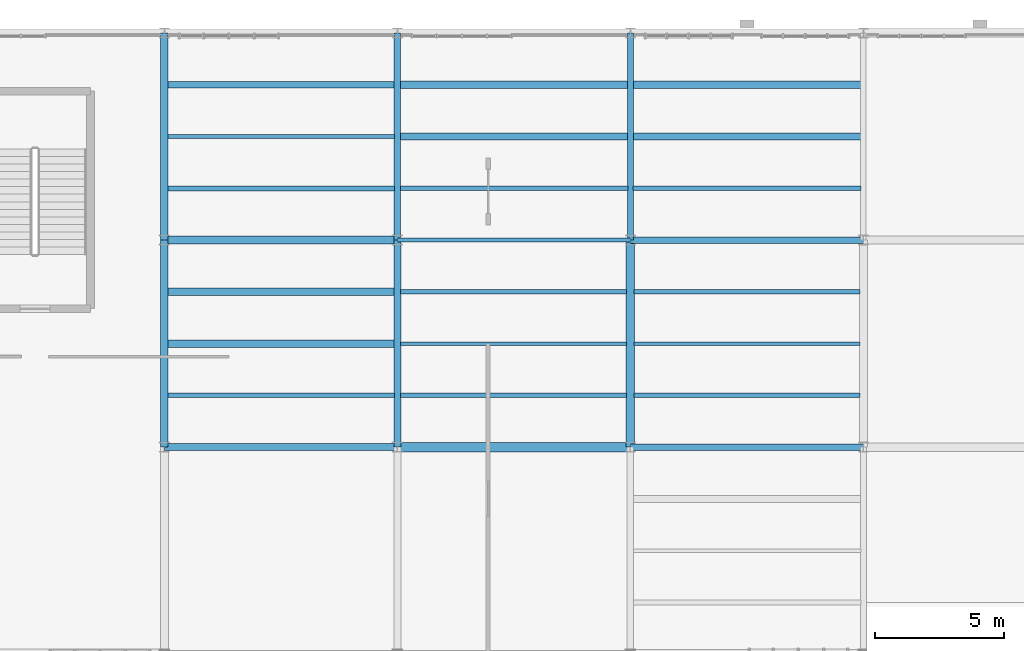
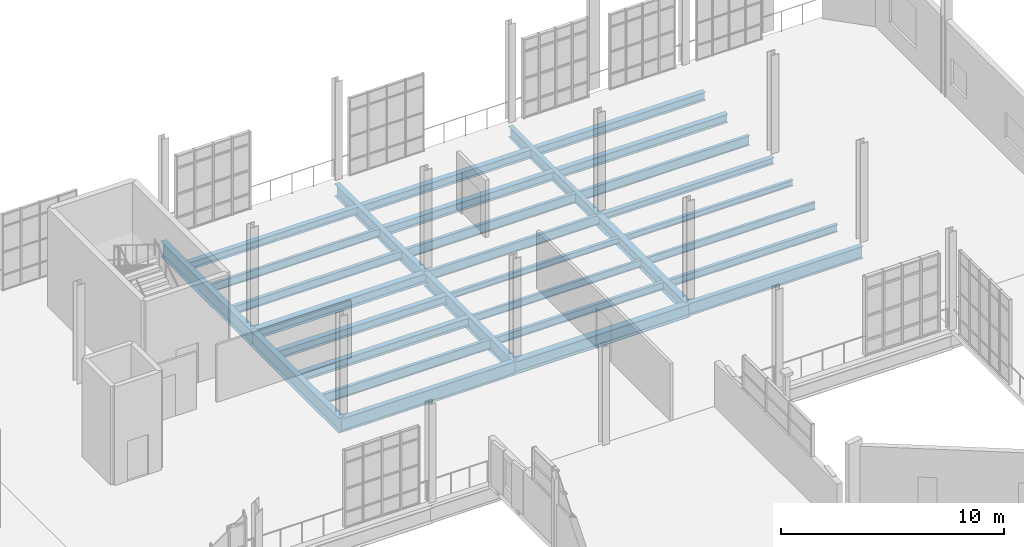
# One storey, part 64 of 142: 30 beams.
"""IFC4 building model written with IfcOpenShell, lengths in metres."""

from ifc_helpers import new_model, si_unit, direction, frame, origin, origin_2d, place, context, subcontext, project, spatial, i_section, extrude, material, material_profile, profile_set, type_object, element, save


model = new_model("IFC4")

# Units and contexts
model_context = context("Model", 3, precision=1e-05, world=origin(), true_north=direction((0.0, 1.0)))
body_context = subcontext(model_context, "Body", "Model", "MODEL_VIEW")
ifc_project = project(units=[si_unit("LENGTHUNIT", "METRE"), si_unit("AREAUNIT", "SQUARE_METRE"), si_unit("VOLUMEUNIT", "CUBIC_METRE"), si_unit("PLANEANGLEUNIT", "RADIAN"), si_unit("MASSUNIT", "GRAM", prefix="KILO"), si_unit("THERMODYNAMICTEMPERATUREUNIT", "KELVIN"), si_unit("POWERUNIT", "WATT")], contexts=[model_context])

# Site, building, storey
site_placement = place(None, origin())
site = spatial("IfcSite", under=ifc_project, at=site_placement, CompositionType="ELEMENT")
building_placement = place(site_placement, origin())
building = spatial("IfcBuilding", under=site, at=building_placement, Name="Zelmaris Science Centre", CompositionType="ELEMENT")
storey_placement = place(building_placement, frame((0.0, 0.0, 5.39990234375)))
storey = spatial("IfcBuildingStorey", under=building, at=storey_placement, Name="L01", CompositionType="ELEMENT", Elevation=5.39990234375)

# Beams
ifc_material = material(Name="Steel ASTM A992 Grade 50", Category="steel")
ifc_material_profile_1 = material_profile(ifc_material, i_section(OverallWidth=0.294921875, OverallDepth=0.85107421875, WebThickness=0.01611328125, FlangeThickness=0.02685546875, FilletRadius=0.02001953125, at=origin_2d()), Name="W33X152")
ifc_profile_set_1 = profile_set([ifc_material_profile_1], Name="Steel ASTM A992 Grade 50")
beam_type_1 = type_object("IfcBeamType", Name="Beam G-06 W33X152", PredefinedType="BEAM", material=ifc_profile_set_1)
beam_1_placement = place(storey_placement, frame((72.0, 72.0, -0.705322265625), z_axis=(0.0, 1.0, 0.0), x_axis=(-1.0, 0.0, 0.0)))
element("IfcBeam", 1, at=beam_1_placement, inside=storey, type_object=beam_type_1, Name="L01 North-south girder 281", PredefinedType="BEAM", context=body_context, shape_type="SweptSolid", body=[
    extrude(i_section(OverallWidth=0.294921875, OverallDepth=0.85107421875, WebThickness=0.01611328125, FlangeThickness=0.02685546875, FilletRadius=0.02001953125, at=origin_2d()), origin(), (0.0, 0.0, 1.0), 8.0),
])
ifc_material_profile_2 = material_profile(ifc_material, i_section(OverallWidth=0.2919921875, OverallDepth=0.841064453125, WebThickness=0.0146484375, FlangeThickness=0.021728515625, FilletRadius=0.02001953125, at=origin_2d()), Name="W33X130")
ifc_profile_set_2 = profile_set([ifc_material_profile_2], Name="Steel ASTM A992 Grade 50")
beam_type_2 = type_object("IfcBeamType", Name="Beam G-07 W33X130", PredefinedType="BEAM", material=ifc_profile_set_2)
beam_2_placement = place(storey_placement, frame((72.0, 80.0, -0.700439453125), z_axis=(0.0, 1.0, 0.0), x_axis=(-1.0, 0.0, 0.0)))
element("IfcBeam", 2, at=beam_2_placement, inside=storey, type_object=beam_type_2, Name="L01 North-south girder 282", PredefinedType="BEAM", context=body_context, shape_type="SweptSolid", body=[
    extrude(i_section(OverallWidth=0.2919921875, OverallDepth=0.841064453125, WebThickness=0.0146484375, FlangeThickness=0.021728515625, FilletRadius=0.02001953125, at=origin_2d()), origin(), (0.0, 0.0, 1.0), 8.0),
])
ifc_material_profile_3 = material_profile(ifc_material, i_section(OverallWidth=0.26708984375, OverallDepth=0.757080078125, WebThickness=0.013916015625, FlangeThickness=0.019287109375, FilletRadius=0.01904296875, at=origin_2d()), Name="W30X108")
ifc_profile_set_3 = profile_set([ifc_material_profile_3], Name="Steel ASTM A992 Grade 50")
beam_type_3 = type_object("IfcBeamType", Name="Beam G-10 W30X108", PredefinedType="BEAM", material=ifc_profile_set_3)
beam_3_placement = place(storey_placement, frame((81.0, 72.0, -0.658447265625), z_axis=(0.0, 1.0, 0.0), x_axis=(-1.0, 0.0, 0.0)))
element("IfcBeam", 3, at=beam_3_placement, inside=storey, type_object=beam_type_3, Name="L01 North-south girder 284", PredefinedType="BEAM", context=body_context, shape_type="SweptSolid", body=[
    extrude(i_section(OverallWidth=0.26708984375, OverallDepth=0.757080078125, WebThickness=0.013916015625, FlangeThickness=0.019287109375, FilletRadius=0.01904296875, at=origin_2d()), origin(), (0.0, 0.0, 1.0), 8.0),
])
ifc_material_profile_4 = material_profile(ifc_material, i_section(OverallWidth=0.257080078125, OverallDepth=0.693115234375, WebThickness=0.014404296875, FlangeThickness=0.023681640625, FilletRadius=0.01806640625, at=origin_2d()), Name="W27X114")
ifc_profile_set_4 = profile_set([ifc_material_profile_4], Name="Steel ASTM A992 Grade 50")
beam_type_4 = type_object("IfcBeamType", Name="Beam G-12 W27X114", PredefinedType="BEAM", material=ifc_profile_set_4)
beam_4_placement = place(storey_placement, frame((81.0, 80.0, -0.62646484375), z_axis=(0.0, 1.0, 0.0), x_axis=(-1.0, 0.0, 0.0)))
element("IfcBeam", 4, at=beam_4_placement, inside=storey, type_object=beam_type_4, Name="L01 North-south girder 285", PredefinedType="BEAM", context=body_context, shape_type="SweptSolid", body=[
    extrude(i_section(OverallWidth=0.257080078125, OverallDepth=0.693115234375, WebThickness=0.014404296875, FlangeThickness=0.023681640625, FilletRadius=0.01806640625, at=origin_2d()), origin(), (0.0, 0.0, 1.0), 8.0),
])
ifc_material_profile_5 = material_profile(ifc_material, i_section(OverallWidth=0.324951171875, OverallDepth=0.612060546875, WebThickness=0.0126953125, FlangeThickness=0.01904296875, FilletRadius=0.014892578125, at=origin_2d()), Name="W24X104")
ifc_profile_set_5 = profile_set([ifc_material_profile_5], Name="Steel ASTM A992 Grade 50")
beam_type_5 = type_object("IfcBeamType", Name="Beam G-15 W24X104", PredefinedType="BEAM", material=ifc_profile_set_5)
beam_5_placement = place(storey_placement, frame((90.0, 72.0, -0.5859375), z_axis=(0.0, 1.0, 0.0), x_axis=(-1.0, 0.0, 0.0)))
element("IfcBeam", 5, at=beam_5_placement, inside=storey, type_object=beam_type_5, Name="L01 North-south girder 287", PredefinedType="BEAM", context=body_context, shape_type="SweptSolid", body=[
    extrude(i_section(OverallWidth=0.324951171875, OverallDepth=0.612060546875, WebThickness=0.0126953125, FlangeThickness=0.01904296875, FilletRadius=0.014892578125, at=origin_2d()), origin(), (0.0, 0.0, 1.0), 8.0),
])
ifc_material_profile_6 = material_profile(ifc_material, i_section(OverallWidth=0.22900390625, OverallDepth=0.612060546875, WebThickness=0.011962890625, FlangeThickness=0.01953125, FilletRadius=0.014892578125, at=origin_2d()), Name="W24X84")
ifc_profile_set_6 = profile_set([ifc_material_profile_6], Name="Steel ASTM A992 Grade 50")
beam_type_6 = type_object("IfcBeamType", Name="Beam G-16 W24X84", PredefinedType="BEAM", material=ifc_profile_set_6)
beam_6_placement = place(storey_placement, frame((90.0, 80.0, -0.5859375), z_axis=(0.0, 1.0, 0.0), x_axis=(-1.0, 0.0, 0.0)))
element("IfcBeam", 6, at=beam_6_placement, inside=storey, type_object=beam_type_6, Name="L01 North-south girder 288", PredefinedType="BEAM", context=body_context, shape_type="SweptSolid", body=[
    extrude(i_section(OverallWidth=0.22900390625, OverallDepth=0.612060546875, WebThickness=0.011962890625, FlangeThickness=0.01953125, FilletRadius=0.014892578125, at=origin_2d()), origin(), (0.0, 0.0, 1.0), 8.0),
])
ifc_material_profile_7 = material_profile(ifc_material, i_section(OverallWidth=0.26708984375, OverallDepth=0.75390625, WebThickness=0.01318359375, FlangeThickness=0.01708984375, FilletRadius=0.01904296875, at=origin_2d()), Name="W30X99")
ifc_profile_set_7 = profile_set([ifc_material_profile_7], Name="Steel ASTM A992 Grade 50")
beam_type_7 = type_object("IfcBeamType", Name="Beam G-34 W30X99", PredefinedType="BEAM", material=ifc_profile_set_7)
beam_7_placement = place(storey_placement, frame((72.0, 72.0, -0.656982421875), z_axis=(1.0, 0.0, 0.0), x_axis=(0.0, 1.0, 0.0)))
element("IfcBeam", 7, at=beam_7_placement, inside=storey, type_object=beam_type_7, Name="L01 East-west girder 395", PredefinedType="BEAM", context=body_context, shape_type="SweptSolid", body=[
    extrude(i_section(OverallWidth=0.26708984375, OverallDepth=0.75390625, WebThickness=0.01318359375, FlangeThickness=0.01708984375, FilletRadius=0.01904296875, at=origin_2d()), origin(), (0.0, 0.0, 1.0), 9.0),
])
ifc_material_profile_8 = material_profile(ifc_material, i_section(OverallWidth=0.35595703125, OverallDepth=0.700927734375, WebThickness=0.016845703125, FlangeThickness=0.02734375, FilletRadius=0.01806640625, at=origin_2d()), Name="W27X161")
ifc_profile_set_8 = profile_set([ifc_material_profile_8], Name="Steel ASTM A992 Grade 50")
beam_type_8 = type_object("IfcBeamType", Name="Beam G-35 W27X161", PredefinedType="BEAM", material=ifc_profile_set_8)
beam_8_placement = place(storey_placement, frame((81.0, 72.0, -0.63037109375), z_axis=(1.0, 0.0, 0.0), x_axis=(0.0, 1.0, 0.0)))
element("IfcBeam", 8, at=beam_8_placement, inside=storey, type_object=beam_type_8, Name="L01 East-west girder 396", PredefinedType="BEAM", context=body_context, shape_type="SweptSolid", body=[
    extrude(i_section(OverallWidth=0.35595703125, OverallDepth=0.700927734375, WebThickness=0.016845703125, FlangeThickness=0.02734375, FilletRadius=0.01806640625, at=origin_2d()), origin(), (0.0, 0.0, 1.0), 9.0),
])
ifc_material_profile_9 = material_profile(ifc_material, i_section(OverallWidth=0.25390625, OverallDepth=0.677978515625, WebThickness=0.01171875, FlangeThickness=0.016357421875, FilletRadius=0.01806640625, at=origin_2d()), Name="W27X84")
ifc_profile_set_9 = profile_set([ifc_material_profile_9], Name="Steel ASTM A992 Grade 50")
beam_type_9 = type_object("IfcBeamType", Name="Beam G-36 W27X84", PredefinedType="BEAM", material=ifc_profile_set_9)
beam_9_placement = place(storey_placement, frame((90.0, 72.0, -0.618896484375), z_axis=(1.0, 0.0, 0.0), x_axis=(0.0, 1.0, 0.0)))
element("IfcBeam", 9, at=beam_9_placement, inside=storey, type_object=beam_type_9, Name="L01 East-west girder 397", PredefinedType="BEAM", context=body_context, shape_type="SweptSolid", body=[
    extrude(i_section(OverallWidth=0.25390625, OverallDepth=0.677978515625, WebThickness=0.01171875, FlangeThickness=0.016357421875, FilletRadius=0.01806640625, at=origin_2d()), origin(), (0.0, 0.0, 1.0), 9.0),
])
ifc_material_profile_10 = material_profile(ifc_material, i_section(OverallWidth=0.31201171875, OverallDepth=0.5458984375, WebThickness=0.013916015625, FlangeThickness=0.022216796875, FilletRadius=0.013916015625, at=origin_2d()), Name="W21X111")
ifc_profile_set_10 = profile_set([ifc_material_profile_10], Name="Steel ASTM A992 Grade 50")
beam_type_10 = type_object("IfcBeamType", Name="Beam G-39 W21X111", PredefinedType="BEAM", material=ifc_profile_set_10)
beam_10_placement = place(storey_placement, frame((72.0, 80.0, -0.552978515625), z_axis=(1.0, 0.0, 0.0), x_axis=(0.0, 1.0, 0.0)))
element("IfcBeam", 10, at=beam_10_placement, inside=storey, type_object=beam_type_10, Name="L01 East-west girder 400", PredefinedType="BEAM", context=body_context, shape_type="SweptSolid", body=[
    extrude(i_section(OverallWidth=0.31201171875, OverallDepth=0.5458984375, WebThickness=0.013916015625, FlangeThickness=0.022216796875, FilletRadius=0.013916015625, at=origin_2d()), origin(), (0.0, 0.0, 1.0), 9.0),
])
ifc_material_profile_11 = material_profile(ifc_material, i_section(OverallWidth=0.1650390625, OverallDepth=0.52587890625, WebThickness=0.0087890625, FlangeThickness=0.011474609375, FilletRadius=0.013916015625, at=origin_2d()), Name="W21X44")
ifc_profile_set_11 = profile_set([ifc_material_profile_11], Name="Steel ASTM A992 Grade 50")
beam_type_11 = type_object("IfcBeamType", Name="Beam G-40 W21X44", PredefinedType="BEAM", material=ifc_profile_set_11)
beam_11_placement = place(storey_placement, frame((81.0, 80.0, -0.54296875), z_axis=(1.0, 0.0, 0.0), x_axis=(0.0, 1.0, 0.0)))
element("IfcBeam", 11, at=beam_11_placement, inside=storey, type_object=beam_type_11, Name="L01 East-west girder 401", PredefinedType="BEAM", context=body_context, shape_type="SweptSolid", body=[
    extrude(i_section(OverallWidth=0.1650390625, OverallDepth=0.52587890625, WebThickness=0.0087890625, FlangeThickness=0.011474609375, FilletRadius=0.013916015625, at=origin_2d()), origin(), (0.0, 0.0, 1.0), 9.0),
])
ifc_material_profile_12 = material_profile(ifc_material, i_section(OverallWidth=0.25390625, OverallDepth=0.35595703125, WebThickness=0.010498046875, FlangeThickness=0.018310546875, FilletRadius=0.014892578125, at=origin_2d()), Name="W14X68")
ifc_profile_set_12 = profile_set([ifc_material_profile_12], Name="Steel ASTM A992 Grade 50")
beam_type_12 = type_object("IfcBeamType", Name="Beam G-41 W14X68", PredefinedType="BEAM", material=ifc_profile_set_12)
beam_12_placement = place(storey_placement, frame((90.0, 80.0, -0.4580078125), z_axis=(1.0, 0.0, 0.0), x_axis=(0.0, 1.0, 0.0)))
element("IfcBeam", 12, at=beam_12_placement, inside=storey, type_object=beam_type_12, Name="L01 East-west girder 402", PredefinedType="BEAM", context=body_context, shape_type="SweptSolid", body=[
    extrude(i_section(OverallWidth=0.25390625, OverallDepth=0.35595703125, WebThickness=0.010498046875, FlangeThickness=0.018310546875, FilletRadius=0.014892578125, at=origin_2d()), origin(), (0.0, 0.0, 1.0), 9.0),
])
ifc_material_profile_13 = material_profile(ifc_material, i_section(OverallWidth=0.16796875, OverallDepth=0.532958984375, WebThickness=0.01025390625, FlangeThickness=0.0166015625, FilletRadius=0.013916015625, at=origin_2d()), Name="W21X57")
ifc_profile_set_13 = profile_set([ifc_material_profile_13], Name="Steel ASTM A992 Grade 50")
beam_type_13 = type_object("IfcBeamType", Name="Beam J-01 W21X57", PredefinedType="JOIST", material=ifc_profile_set_13)
beam_13_placement = place(storey_placement, frame((72.132568359375, 74.0, -0.54638671875), z_axis=(1.0, 0.0, 0.0), x_axis=(0.0, 1.0, 0.0)))
element("IfcBeam", 13, at=beam_13_placement, inside=storey, type_object=beam_type_13, Name="L01 Composite floor joist 144", PredefinedType="JOIST", context=body_context, shape_type="SweptSolid", body=[
    extrude(i_section(OverallWidth=0.16796875, OverallDepth=0.532958984375, WebThickness=0.01025390625, FlangeThickness=0.0166015625, FilletRadius=0.013916015625, at=origin_2d()), origin(), (0.0, 0.0, 1.0), 8.7490234375),
])
beam_14_placement = place(storey_placement, frame((81.113525390625, 82.0, -0.54638671875), z_axis=(1.0, 0.0, 0.0), x_axis=(0.0, 1.0, 0.0)))
element("IfcBeam", 14, at=beam_14_placement, inside=storey, type_object=beam_type_13, Name="L01 Composite floor joist 153", PredefinedType="JOIST", context=body_context, shape_type="SweptSolid", body=[
    extrude(i_section(OverallWidth=0.16796875, OverallDepth=0.532958984375, WebThickness=0.01025390625, FlangeThickness=0.0166015625, FilletRadius=0.013916015625, at=origin_2d()), origin(), (0.0, 0.0, 1.0), 8.786865234375),
])
beam_15_placement = place(storey_placement, frame((90.099609375, 82.0, -0.54638671875), z_axis=(1.0, 0.0, 0.0), x_axis=(0.0, 1.0, 0.0)))
element("IfcBeam", 15, at=beam_15_placement, inside=storey, type_object=beam_type_13, Name="L01 Composite floor joist 162", PredefinedType="JOIST", context=body_context, shape_type="SweptSolid", body=[
    extrude(i_section(OverallWidth=0.16796875, OverallDepth=0.532958984375, WebThickness=0.01025390625, FlangeThickness=0.0166015625, FilletRadius=0.013916015625, at=origin_2d()), origin(), (0.0, 0.0, 1.0), 8.809814453125),
])
ifc_material_profile_14 = material_profile(ifc_material, i_section(OverallWidth=0.281982421875, OverallDepth=0.471923828125, WebThickness=0.013671875, FlangeThickness=0.022216796875, FilletRadius=0.012939453125, at=origin_2d()), Name="W18X97")
ifc_profile_set_14 = profile_set([ifc_material_profile_14], Name="Steel ASTM A992 Grade 50")
beam_type_14 = type_object("IfcBeamType", Name="Beam J-02 W18X97", PredefinedType="JOIST", material=ifc_profile_set_14)
beam_16_placement = place(storey_placement, frame((72.132568359375, 76.0, -0.515869140625), z_axis=(1.0, 0.0, 0.0), x_axis=(0.0, 1.0, 0.0)))
element("IfcBeam", 16, at=beam_16_placement, inside=storey, type_object=beam_type_14, Name="L01 Composite floor joist 145", PredefinedType="JOIST", context=body_context, shape_type="SweptSolid", body=[
    extrude(i_section(OverallWidth=0.281982421875, OverallDepth=0.471923828125, WebThickness=0.013671875, FlangeThickness=0.022216796875, FilletRadius=0.012939453125, at=origin_2d()), origin(), (0.0, 0.0, 1.0), 8.7490234375),
])
beam_17_placement = place(storey_placement, frame((81.113525390625, 84.0, -0.515869140625), z_axis=(1.0, 0.0, 0.0), x_axis=(0.0, 1.0, 0.0)))
element("IfcBeam", 17, at=beam_17_placement, inside=storey, type_object=beam_type_14, Name="L01 Composite floor joist 154", PredefinedType="JOIST", context=body_context, shape_type="SweptSolid", body=[
    extrude(i_section(OverallWidth=0.281982421875, OverallDepth=0.471923828125, WebThickness=0.013671875, FlangeThickness=0.022216796875, FilletRadius=0.012939453125, at=origin_2d()), origin(), (0.0, 0.0, 1.0), 8.786865234375),
])
beam_18_placement = place(storey_placement, frame((90.099609375, 84.0, -0.515869140625), z_axis=(1.0, 0.0, 0.0), x_axis=(0.0, 1.0, 0.0)))
element("IfcBeam", 18, at=beam_18_placement, inside=storey, type_object=beam_type_14, Name="L01 Composite floor joist 163", PredefinedType="JOIST", context=body_context, shape_type="SweptSolid", body=[
    extrude(i_section(OverallWidth=0.281982421875, OverallDepth=0.471923828125, WebThickness=0.013671875, FlangeThickness=0.022216796875, FilletRadius=0.012939453125, at=origin_2d()), origin(), (0.0, 0.0, 1.0), 8.809814453125),
])
ifc_material_profile_15 = material_profile(ifc_material, i_section(OverallWidth=0.279052734375, OverallDepth=0.4619140625, WebThickness=0.0107421875, FlangeThickness=0.017333984375, FilletRadius=0.012939453125, at=origin_2d()), Name="W18X76")
ifc_profile_set_15 = profile_set([ifc_material_profile_15], Name="Steel ASTM A992 Grade 50")
beam_type_15 = type_object("IfcBeamType", Name="Beam J-03 W18X76", PredefinedType="JOIST", material=ifc_profile_set_15)
beam_19_placement = place(storey_placement, frame((72.132568359375, 78.0, -0.510986328125), z_axis=(1.0, 0.0, 0.0), x_axis=(0.0, 1.0, 0.0)))
element("IfcBeam", 19, at=beam_19_placement, inside=storey, type_object=beam_type_15, Name="L01 Composite floor joist 146", PredefinedType="JOIST", context=body_context, shape_type="SweptSolid", body=[
    extrude(i_section(OverallWidth=0.279052734375, OverallDepth=0.4619140625, WebThickness=0.0107421875, FlangeThickness=0.017333984375, FilletRadius=0.012939453125, at=origin_2d()), origin(), (0.0, 0.0, 1.0), 8.7490234375),
])
beam_20_placement = place(storey_placement, frame((81.113525390625, 86.0, -0.510986328125), z_axis=(1.0, 0.0, 0.0), x_axis=(0.0, 1.0, 0.0)))
element("IfcBeam", 20, at=beam_20_placement, inside=storey, type_object=beam_type_15, Name="L01 Composite floor joist 155", PredefinedType="JOIST", context=body_context, shape_type="SweptSolid", body=[
    extrude(i_section(OverallWidth=0.279052734375, OverallDepth=0.4619140625, WebThickness=0.0107421875, FlangeThickness=0.017333984375, FilletRadius=0.012939453125, at=origin_2d()), origin(), (0.0, 0.0, 1.0), 8.786865234375),
])
beam_21_placement = place(storey_placement, frame((90.099609375, 86.0, -0.510986328125), z_axis=(1.0, 0.0, 0.0), x_axis=(0.0, 1.0, 0.0)))
element("IfcBeam", 21, at=beam_21_placement, inside=storey, type_object=beam_type_15, Name="L01 Composite floor joist 164", PredefinedType="JOIST", context=body_context, shape_type="SweptSolid", body=[
    extrude(i_section(OverallWidth=0.279052734375, OverallDepth=0.4619140625, WebThickness=0.0107421875, FlangeThickness=0.017333984375, FilletRadius=0.012939453125, at=origin_2d()), origin(), (0.0, 0.0, 1.0), 8.809814453125),
])
ifc_material_profile_16 = material_profile(ifc_material, i_section(OverallWidth=0.19091796875, OverallDepth=0.4599609375, WebThickness=0.010009765625, FlangeThickness=0.01611328125, FilletRadius=0.012939453125, at=origin_2d()), Name="W18X55")
ifc_profile_set_16 = profile_set([ifc_material_profile_16], Name="Steel ASTM A992 Grade 50")
beam_type_16 = type_object("IfcBeamType", Name="Beam J-04 W18X55", PredefinedType="JOIST", material=ifc_profile_set_16)
beam_22_placement = place(storey_placement, frame((72.131103515625, 82.0, -0.510009765625), z_axis=(1.0, 0.0, 0.0), x_axis=(0.0, 1.0, 0.0)))
element("IfcBeam", 22, at=beam_22_placement, inside=storey, type_object=beam_type_16, Name="L01 Composite floor joist 147", PredefinedType="JOIST", context=body_context, shape_type="SweptSolid", body=[
    extrude(i_section(OverallWidth=0.19091796875, OverallDepth=0.4599609375, WebThickness=0.010009765625, FlangeThickness=0.01611328125, FilletRadius=0.012939453125, at=origin_2d()), origin(), (0.0, 0.0, 1.0), 8.75537109375),
])
ifc_material_profile_17 = material_profile(ifc_material, i_section(OverallWidth=0.152099609375, OverallDepth=0.455078125, WebThickness=0.008056640625, FlangeThickness=0.01318359375, FilletRadius=0.012939453125, at=origin_2d()), Name="W18X40")
ifc_profile_set_17 = profile_set([ifc_material_profile_17], Name="Steel ASTM A992 Grade 50")
beam_type_17 = type_object("IfcBeamType", Name="Beam J-05 W18X40", PredefinedType="JOIST", material=ifc_profile_set_17)
beam_23_placement = place(storey_placement, frame((72.131103515625, 84.0, -0.50732421875), z_axis=(1.0, 0.0, 0.0), x_axis=(0.0, 1.0, 0.0)))
element("IfcBeam", 23, at=beam_23_placement, inside=storey, type_object=beam_type_17, Name="L01 Composite floor joist 148", PredefinedType="JOIST", context=body_context, shape_type="SweptSolid", body=[
    extrude(i_section(OverallWidth=0.152099609375, OverallDepth=0.455078125, WebThickness=0.008056640625, FlangeThickness=0.01318359375, FilletRadius=0.012939453125, at=origin_2d()), origin(), (0.0, 0.0, 1.0), 8.75537109375),
])
ifc_material_profile_18 = material_profile(ifc_material, i_section(OverallWidth=0.260009765625, OverallDepth=0.4140625, WebThickness=0.010009765625, FlangeThickness=0.016845703125, FilletRadius=0.011962890625, at=origin_2d()), Name="W16X67")
ifc_profile_set_18 = profile_set([ifc_material_profile_18], Name="Steel ASTM A992 Grade 50")
beam_type_18 = type_object("IfcBeamType", Name="Beam J-06 W16X67", PredefinedType="JOIST", material=ifc_profile_set_18)
beam_24_placement = place(storey_placement, frame((72.131103515625, 86.0, -0.48681640625), z_axis=(1.0, 0.0, 0.0), x_axis=(0.0, 1.0, 0.0)))
element("IfcBeam", 24, at=beam_24_placement, inside=storey, type_object=beam_type_18, Name="L01 Composite floor joist 149", PredefinedType="JOIST", context=body_context, shape_type="SweptSolid", body=[
    extrude(i_section(OverallWidth=0.260009765625, OverallDepth=0.4140625, WebThickness=0.010009765625, FlangeThickness=0.016845703125, FilletRadius=0.011962890625, at=origin_2d()), origin(), (0.0, 0.0, 1.0), 8.75537109375),
])
ifc_material_profile_19 = material_profile(ifc_material, i_section(OverallWidth=0.177978515625, OverallDepth=0.408935546875, WebThickness=0.0087890625, FlangeThickness=0.014404296875, FilletRadius=0.011962890625, at=origin_2d()), Name="W16X45")
ifc_profile_set_19 = profile_set([ifc_material_profile_19], Name="Steel ASTM A992 Grade 50")
beam_type_19 = type_object("IfcBeamType", Name="Beam J-07 W16X45", PredefinedType="JOIST", material=ifc_profile_set_19)
beam_25_placement = place(storey_placement, frame((81.118408203125, 74.0, -0.484375), z_axis=(1.0, 0.0, 0.0), x_axis=(0.0, 1.0, 0.0)))
element("IfcBeam", 25, at=beam_25_placement, inside=storey, type_object=beam_type_19, Name="L01 Composite floor joist 150", PredefinedType="JOIST", context=body_context, shape_type="SweptSolid", body=[
    extrude(i_section(OverallWidth=0.177978515625, OverallDepth=0.408935546875, WebThickness=0.0087890625, FlangeThickness=0.014404296875, FilletRadius=0.011962890625, at=origin_2d()), origin(), (0.0, 0.0, 1.0), 8.734130859375),
])
beam_26_placement = place(storey_placement, frame((90.1474609375, 74.0, -0.484375), z_axis=(1.0, 0.0, 0.0), x_axis=(0.0, 1.0, 0.0)))
element("IfcBeam", 26, at=beam_26_placement, inside=storey, type_object=beam_type_19, Name="L01 Composite floor joist 159", PredefinedType="JOIST", context=body_context, shape_type="SweptSolid", body=[
    extrude(i_section(OverallWidth=0.177978515625, OverallDepth=0.408935546875, WebThickness=0.0087890625, FlangeThickness=0.014404296875, FilletRadius=0.011962890625, at=origin_2d()), origin(), (0.0, 0.0, 1.0), 8.71142578125),
])
ifc_material_profile_20 = material_profile(ifc_material, i_section(OverallWidth=0.139892578125, OverallDepth=0.404052734375, WebThickness=0.007080078125, FlangeThickness=0.01123046875, FilletRadius=0.011962890625, at=origin_2d()), Name="W16X31")
ifc_profile_set_20 = profile_set([ifc_material_profile_20], Name="Steel ASTM A992 Grade 50")
beam_type_20 = type_object("IfcBeamType", Name="Beam J-08 W16X31", PredefinedType="JOIST", material=ifc_profile_set_20)
beam_27_placement = place(storey_placement, frame((81.118408203125, 76.0, -0.48193359375), z_axis=(1.0, 0.0, 0.0), x_axis=(0.0, 1.0, 0.0)))
element("IfcBeam", 27, at=beam_27_placement, inside=storey, type_object=beam_type_20, Name="L01 Composite floor joist 151", PredefinedType="JOIST", context=body_context, shape_type="SweptSolid", body=[
    extrude(i_section(OverallWidth=0.139892578125, OverallDepth=0.404052734375, WebThickness=0.007080078125, FlangeThickness=0.01123046875, FilletRadius=0.011962890625, at=origin_2d()), origin(), (0.0, 0.0, 1.0), 8.734130859375),
])
beam_28_placement = place(storey_placement, frame((90.1474609375, 76.0, -0.48193359375), z_axis=(1.0, 0.0, 0.0), x_axis=(0.0, 1.0, 0.0)))
element("IfcBeam", 28, at=beam_28_placement, inside=storey, type_object=beam_type_20, Name="L01 Composite floor joist 160", PredefinedType="JOIST", context=body_context, shape_type="SweptSolid", body=[
    extrude(i_section(OverallWidth=0.139892578125, OverallDepth=0.404052734375, WebThickness=0.007080078125, FlangeThickness=0.01123046875, FilletRadius=0.011962890625, at=origin_2d()), origin(), (0.0, 0.0, 1.0), 8.71142578125),
])
ifc_material_profile_21 = material_profile(ifc_material, i_section(OverallWidth=0.1669921875, OverallDepth=0.318115234375, WebThickness=0.007568359375, FlangeThickness=0.01318359375, FilletRadius=0.011962890625, at=origin_2d()), Name="W12X35")
ifc_profile_set_21 = profile_set([ifc_material_profile_21], Name="Steel ASTM A992 Grade 50")
beam_type_21 = type_object("IfcBeamType", Name="Beam J-09 W12X35", PredefinedType="JOIST", material=ifc_profile_set_21)
beam_29_placement = place(storey_placement, frame((81.118408203125, 78.0, -0.43896484375), z_axis=(1.0, 0.0, 0.0), x_axis=(0.0, 1.0, 0.0)))
element("IfcBeam", 29, at=beam_29_placement, inside=storey, type_object=beam_type_21, Name="L01 Composite floor joist 152", PredefinedType="JOIST", context=body_context, shape_type="SweptSolid", body=[
    extrude(i_section(OverallWidth=0.1669921875, OverallDepth=0.318115234375, WebThickness=0.007568359375, FlangeThickness=0.01318359375, FilletRadius=0.011962890625, at=origin_2d()), origin(), (0.0, 0.0, 1.0), 8.734130859375),
])
beam_30_placement = place(storey_placement, frame((90.1474609375, 78.0, -0.43896484375), z_axis=(1.0, 0.0, 0.0), x_axis=(0.0, 1.0, 0.0)))
element("IfcBeam", 30, at=beam_30_placement, inside=storey, type_object=beam_type_21, Name="L01 Composite floor joist 161", PredefinedType="JOIST", context=body_context, shape_type="SweptSolid", body=[
    extrude(i_section(OverallWidth=0.1669921875, OverallDepth=0.318115234375, WebThickness=0.007568359375, FlangeThickness=0.01318359375, FilletRadius=0.011962890625, at=origin_2d()), origin(), (0.0, 0.0, 1.0), 8.71142578125),
])

save(model, "model.ifc")
